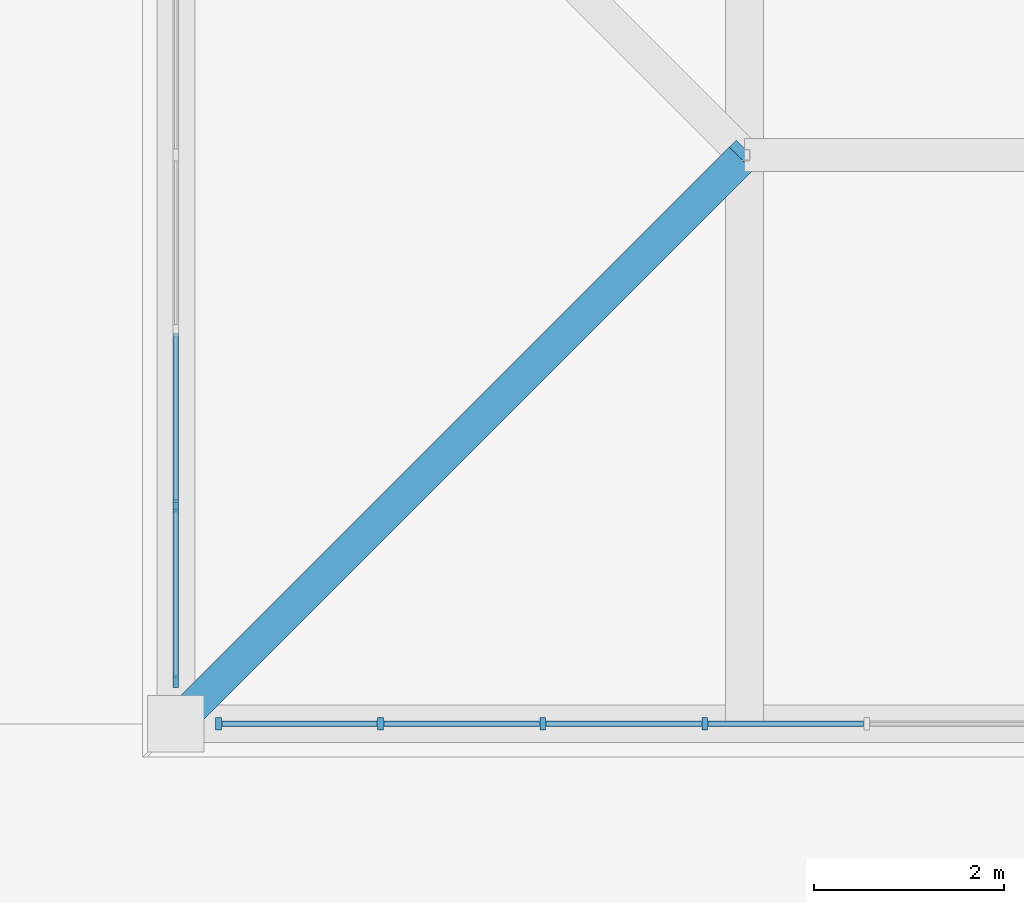
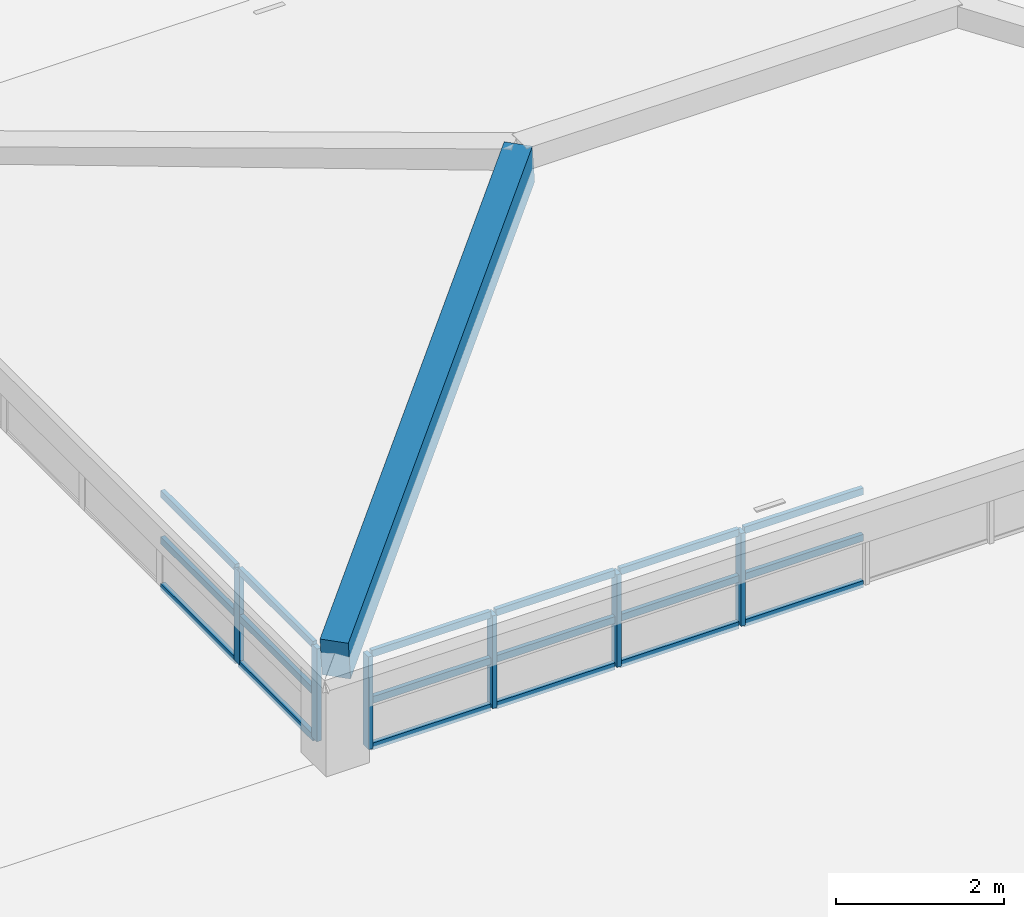
# One storey, part 33 of 56: 24 members, 1 beam, 2 elements without a shape of their own.
"""IFC4 building model written with IfcOpenShell, lengths in metres."""

from ifc_helpers import new_model, si_unit, direction, frame, origin, origin_2d, place, context, subcontext, project, spatial, rectangle, extrude, material, layer, layer_set, material_profile, profile_set, type_object, element, aggregate, save


model = new_model("IFC4")

# Units and contexts
model_context = context("Model", 3, precision=1e-05, world=origin(), true_north=direction((0.0, 1.0)))
body_context = subcontext(model_context, "Body", "Model", "MODEL_VIEW")
ifc_project = project(units=[si_unit("LENGTHUNIT", "METRE"), si_unit("AREAUNIT", "SQUARE_METRE"), si_unit("VOLUMEUNIT", "CUBIC_METRE"), si_unit("PLANEANGLEUNIT", "RADIAN"), si_unit("MASSUNIT", "GRAM", prefix="KILO")], contexts=[model_context])

# Site, building, storey
site_placement = place(None, origin())
site = spatial("IfcSite", under=ifc_project, at=site_placement, CompositionType="ELEMENT")
building_placement = place(site_placement, origin())
building = spatial("IfcBuilding", under=site, at=building_placement, Name="Zacnel Wholesale Market", CompositionType="ELEMENT")
storey_placement = place(building_placement, frame((0.0, 0.0, 20.300048828125)))
storey = spatial("IfcBuildingStorey", under=building, at=storey_placement, Name="RF", CompositionType="ELEMENT", Elevation=20.300048828125)

# Beam
ifc_material_1 = material(Name="Concrete C40/50", Category="concrete")
ifc_material_profile_1 = material_profile(ifc_material_1, rectangle(XDim=0.35009765625, YDim=0.60009765625, at=origin_2d()), Name="ARCH RIB 350x600")
ifc_profile_set_1 = profile_set([ifc_material_profile_1], Name="Concrete C40/50")
beam_type = type_object("IfcBeamType", Name="BM-AR600", PredefinedType="USERDEFINED", material=ifc_profile_set_1)
beam_placement = place(storey_placement, frame((153.0, 108.0, -2.469970703125), z_axis=(0.696310623823, 0.696310623823, 0.174077655956), x_axis=(-0.707106781187, 0.707106781187, 0.0)))
element("IfcBeam", 1, at=beam_placement, inside=storey, type_object=beam_type, Name="Hipped crown rib STR-ROOF-V1-XLANTERN-1", ObjectType="ARCH RIB", PredefinedType="USERDEFINED", context=body_context, shape_type="SweptSolid", body=[
    extrude(rectangle(XDim=0.35009765625, YDim=0.60009765625, at=origin_2d()), origin(), (0.0, 0.0, 1.0), 8.616943359375),
])

# Curtain wall, members
ifc_material_2 = material(Name="Anodised aluminium", Category="aluminium")
ifc_layer = layer(ifc_material_2, 0.14990234375)
ifc_layer_set = layer_set([ifc_layer], Name="Anodised aluminium")
curtain_wall_type = type_object("IfcCurtainWallType", Name="CW-CLER-3600", PredefinedType="NOTDEFINED", material=ifc_layer_set)
curtain_wall_1_placement = place(storey_placement, origin())
curtain_wall_1 = element("IfcCurtainWall", 2, at=curtain_wall_1_placement, inside=storey, type_object=curtain_wall_type, Name="Curtain wall ENV-CW-XLAN-S", PredefinedType="NOTDEFINED")
ifc_material_3 = material(Name="Anodised aluminium", Category="aluminium")
ifc_material_profile_2 = material_profile(ifc_material_3, rectangle(XDim=0.06005859375, YDim=0.1298828125, at=origin_2d()), Name="AW-MULLION 60x130")
ifc_profile_set_2 = profile_set([ifc_material_profile_2], Name="Anodised aluminium")
member_type_1 = type_object("IfcMemberType", Name="CWM-MUL-06", PredefinedType="MULLION", material=ifc_profile_set_2)
member_1_placement = place(storey_placement, frame((153.449951171875, 108.0, -3.900146484375), z_axis=(0.0, 0.0, 1.0), x_axis=(1.0, 0.0, 0.0)))
member_1 = element("IfcMember", 3, at=member_1_placement, type_object=member_type_1, Name="ENV-CW-XLAN-S mullion 01", PredefinedType="MULLION", context=body_context, shape_type="SweptSolid", body=[
    extrude(rectangle(XDim=0.06005859375, YDim=0.1298828125, at=origin_2d()), origin(), (0.0, 0.0, 1.0), 1.35009765625),
])
member_2_placement = place(storey_placement, frame((155.159912109375, 108.0, -3.900146484375), z_axis=(0.0, 0.0, 1.0), x_axis=(1.0, 0.0, 0.0)))
member_2 = element("IfcMember", 4, at=member_2_placement, type_object=member_type_1, Name="ENV-CW-XLAN-S mullion 02", PredefinedType="MULLION", context=body_context, shape_type="SweptSolid", body=[
    extrude(rectangle(XDim=0.06005859375, YDim=0.1298828125, at=origin_2d()), origin(), (0.0, 0.0, 1.0), 1.35009765625),
])
member_3_placement = place(storey_placement, frame((156.8701171875, 108.0, -3.900146484375), z_axis=(0.0, 0.0, 1.0), x_axis=(1.0, 0.0, 0.0)))
member_3 = element("IfcMember", 5, at=member_3_placement, type_object=member_type_1, Name="ENV-CW-XLAN-S mullion 03", PredefinedType="MULLION", context=body_context, shape_type="SweptSolid", body=[
    extrude(rectangle(XDim=0.06005859375, YDim=0.1298828125, at=origin_2d()), origin(), (0.0, 0.0, 1.0), 1.35009765625),
])
member_4_placement = place(storey_placement, frame((158.580078125, 108.0, -3.900146484375), z_axis=(0.0, 0.0, 1.0), x_axis=(1.0, 0.0, 0.0)))
member_4 = element("IfcMember", 6, at=member_4_placement, type_object=member_type_1, Name="ENV-CW-XLAN-S mullion 04", PredefinedType="MULLION", context=body_context, shape_type="SweptSolid", body=[
    extrude(rectangle(XDim=0.06005859375, YDim=0.1298828125, at=origin_2d()), origin(), (0.0, 0.0, 1.0), 1.35009765625),
])

curtain_wall_2_placement = place(storey_placement, origin())
curtain_wall_2 = element("IfcCurtainWall", 7, at=curtain_wall_2_placement, inside=storey, type_object=curtain_wall_type, Name="Curtain wall ENV-CW-XLAN-W", PredefinedType="NOTDEFINED")
member_5_placement = place(storey_placement, frame((153.0, 108.449951171875, -3.900146484375), z_axis=(0.0, 0.0, 1.0), x_axis=(1.0, 0.0, 0.0)))
member_5 = element("IfcMember", 8, at=member_5_placement, type_object=member_type_1, Name="ENV-CW-XLAN-W mullion 01", PredefinedType="MULLION", context=body_context, shape_type="SweptSolid", body=[
    extrude(rectangle(XDim=0.06005859375, YDim=0.1298828125, at=origin_2d()), origin(), (0.0, 0.0, 1.0), 1.35009765625),
])
member_6_placement = place(storey_placement, frame((153.0, 110.300048828125, -3.900146484375), z_axis=(0.0, 0.0, 1.0), x_axis=(1.0, 0.0, 0.0)))
member_6 = element("IfcMember", 9, at=member_6_placement, type_object=member_type_1, Name="ENV-CW-XLAN-W mullion 02", PredefinedType="MULLION", context=body_context, shape_type="SweptSolid", body=[
    extrude(rectangle(XDim=0.06005859375, YDim=0.1298828125, at=origin_2d()), origin(), (0.0, 0.0, 1.0), 1.35009765625),
])

# Member
ifc_material_4 = material(Name="Anodised aluminium", Category="aluminium")
ifc_material_profile_3 = material_profile(ifc_material_4, rectangle(XDim=0.06005859375, YDim=0.10009765625, at=origin_2d()), Name="AW-TRANSOM 60x100")
ifc_profile_set_3 = profile_set([ifc_material_profile_3], Name="Anodised aluminium")
member_type_2 = type_object("IfcMemberType", Name="CWM-TRN-06", PredefinedType="USERDEFINED", material=ifc_profile_set_3)
member_7_placement = place(storey_placement, frame((153.485107421875, 108.0, -3.900146484375), z_axis=(1.0, 0.0, 0.0), x_axis=(0.0, 1.0, 0.0)))
member_7 = element("IfcMember", 10, at=member_7_placement, type_object=member_type_2, Name="ENV-CW-XLAN-S transom 1-1", ObjectType="TRANSOM", PredefinedType="USERDEFINED", context=body_context, shape_type="SweptSolid", body=[
    extrude(rectangle(XDim=0.06005859375, YDim=0.10009765625, at=origin_2d()), origin(), (0.0, 0.0, 1.0), 1.639892578125),
])

member_8_placement = place(storey_placement, frame((153.485107421875, 108.0, -3.22509765625), z_axis=(1.0, 0.0, 0.0), x_axis=(0.0, 1.0, 0.0)))
member_8 = element("IfcMember", 11, at=member_8_placement, type_object=member_type_2, Name="ENV-CW-XLAN-S transom 1-2", ObjectType="TRANSOM", PredefinedType="USERDEFINED", context=body_context, shape_type="SweptSolid", body=[
    extrude(rectangle(XDim=0.06005859375, YDim=0.10009765625, at=origin_2d()), origin(), (0.0, 0.0, 1.0), 1.639892578125),
])

member_9_placement = place(storey_placement, frame((153.485107421875, 108.0, -2.550048828125), z_axis=(1.0, 0.0, 0.0), x_axis=(0.0, 1.0, 0.0)))
member_9 = element("IfcMember", 12, at=member_9_placement, type_object=member_type_2, Name="ENV-CW-XLAN-S transom 1-3", ObjectType="TRANSOM", PredefinedType="USERDEFINED", context=body_context, shape_type="SweptSolid", body=[
    extrude(rectangle(XDim=0.06005859375, YDim=0.10009765625, at=origin_2d()), origin(), (0.0, 0.0, 1.0), 1.639892578125),
])

member_10_placement = place(storey_placement, frame((155.195068359375, 108.0, -3.900146484375), z_axis=(1.0, 0.0, 0.0), x_axis=(0.0, 1.0, 0.0)))
member_10 = element("IfcMember", 13, at=member_10_placement, type_object=member_type_2, Name="ENV-CW-XLAN-S transom 2-1", ObjectType="TRANSOM", PredefinedType="USERDEFINED", context=body_context, shape_type="SweptSolid", body=[
    extrude(rectangle(XDim=0.06005859375, YDim=0.10009765625, at=origin_2d()), origin(), (0.0, 0.0, 1.0), 1.639892578125),
])

member_11_placement = place(storey_placement, frame((155.195068359375, 108.0, -3.22509765625), z_axis=(1.0, 0.0, 0.0), x_axis=(0.0, 1.0, 0.0)))
member_11 = element("IfcMember", 14, at=member_11_placement, type_object=member_type_2, Name="ENV-CW-XLAN-S transom 2-2", ObjectType="TRANSOM", PredefinedType="USERDEFINED", context=body_context, shape_type="SweptSolid", body=[
    extrude(rectangle(XDim=0.06005859375, YDim=0.10009765625, at=origin_2d()), origin(), (0.0, 0.0, 1.0), 1.639892578125),
])

member_12_placement = place(storey_placement, frame((155.195068359375, 108.0, -2.550048828125), z_axis=(1.0, 0.0, 0.0), x_axis=(0.0, 1.0, 0.0)))
member_12 = element("IfcMember", 15, at=member_12_placement, type_object=member_type_2, Name="ENV-CW-XLAN-S transom 2-3", ObjectType="TRANSOM", PredefinedType="USERDEFINED", context=body_context, shape_type="SweptSolid", body=[
    extrude(rectangle(XDim=0.06005859375, YDim=0.10009765625, at=origin_2d()), origin(), (0.0, 0.0, 1.0), 1.639892578125),
])

member_13_placement = place(storey_placement, frame((156.905029296875, 108.0, -3.900146484375), z_axis=(1.0, 0.0, 0.0), x_axis=(0.0, 1.0, 0.0)))
member_13 = element("IfcMember", 16, at=member_13_placement, type_object=member_type_2, Name="ENV-CW-XLAN-S transom 3-1", ObjectType="TRANSOM", PredefinedType="USERDEFINED", context=body_context, shape_type="SweptSolid", body=[
    extrude(rectangle(XDim=0.06005859375, YDim=0.10009765625, at=origin_2d()), origin(), (0.0, 0.0, 1.0), 1.639892578125),
])

member_14_placement = place(storey_placement, frame((156.905029296875, 108.0, -3.22509765625), z_axis=(1.0, 0.0, 0.0), x_axis=(0.0, 1.0, 0.0)))
member_14 = element("IfcMember", 17, at=member_14_placement, type_object=member_type_2, Name="ENV-CW-XLAN-S transom 3-2", ObjectType="TRANSOM", PredefinedType="USERDEFINED", context=body_context, shape_type="SweptSolid", body=[
    extrude(rectangle(XDim=0.06005859375, YDim=0.10009765625, at=origin_2d()), origin(), (0.0, 0.0, 1.0), 1.639892578125),
])

member_15_placement = place(storey_placement, frame((156.905029296875, 108.0, -2.550048828125), z_axis=(1.0, 0.0, 0.0), x_axis=(0.0, 1.0, 0.0)))
member_15 = element("IfcMember", 18, at=member_15_placement, type_object=member_type_2, Name="ENV-CW-XLAN-S transom 3-3", ObjectType="TRANSOM", PredefinedType="USERDEFINED", context=body_context, shape_type="SweptSolid", body=[
    extrude(rectangle(XDim=0.06005859375, YDim=0.10009765625, at=origin_2d()), origin(), (0.0, 0.0, 1.0), 1.639892578125),
])

member_16_placement = place(storey_placement, frame((158.614990234375, 108.0, -3.900146484375), z_axis=(1.0, 0.0, 0.0), x_axis=(0.0, 1.0, 0.0)))
member_16 = element("IfcMember", 19, at=member_16_placement, type_object=member_type_2, Name="ENV-CW-XLAN-S transom 4-1", ObjectType="TRANSOM", PredefinedType="USERDEFINED", context=body_context, shape_type="SweptSolid", body=[
    extrude(rectangle(XDim=0.06005859375, YDim=0.10009765625, at=origin_2d()), origin(), (0.0, 0.0, 1.0), 1.639892578125),
])

member_17_placement = place(storey_placement, frame((158.614990234375, 108.0, -3.22509765625), z_axis=(1.0, 0.0, 0.0), x_axis=(0.0, 1.0, 0.0)))
member_17 = element("IfcMember", 20, at=member_17_placement, type_object=member_type_2, Name="ENV-CW-XLAN-S transom 4-2", ObjectType="TRANSOM", PredefinedType="USERDEFINED", context=body_context, shape_type="SweptSolid", body=[
    extrude(rectangle(XDim=0.06005859375, YDim=0.10009765625, at=origin_2d()), origin(), (0.0, 0.0, 1.0), 1.639892578125),
])

member_18_placement = place(storey_placement, frame((158.614990234375, 108.0, -2.550048828125), z_axis=(1.0, 0.0, 0.0), x_axis=(0.0, 1.0, 0.0)))
member_18 = element("IfcMember", 21, at=member_18_placement, type_object=member_type_2, Name="ENV-CW-XLAN-S transom 4-3", ObjectType="TRANSOM", PredefinedType="USERDEFINED", context=body_context, shape_type="SweptSolid", body=[
    extrude(rectangle(XDim=0.06005859375, YDim=0.10009765625, at=origin_2d()), origin(), (0.0, 0.0, 1.0), 1.639892578125),
])

aggregate(curtain_wall_1, [member_1, member_2, member_3, member_4, member_7, member_8, member_9, member_10, member_11, member_12, member_13, member_14, member_15, member_16, member_17, member_18])

member_19_placement = place(storey_placement, frame((153.0, 108.485107421875, -3.900146484375), z_axis=(0.0, 1.0, 0.0), x_axis=(-1.0, 0.0, 0.0)))
member_19 = element("IfcMember", 22, at=member_19_placement, type_object=member_type_2, Name="ENV-CW-XLAN-W transom 1-1", ObjectType="TRANSOM", PredefinedType="USERDEFINED", context=body_context, shape_type="SweptSolid", body=[
    extrude(rectangle(XDim=0.06005859375, YDim=0.10009765625, at=origin_2d()), origin(), (0.0, 0.0, 1.0), 1.77978515625),
])

member_20_placement = place(storey_placement, frame((153.0, 108.485107421875, -3.22509765625), z_axis=(0.0, 1.0, 0.0), x_axis=(-1.0, 0.0, 0.0)))
member_20 = element("IfcMember", 23, at=member_20_placement, type_object=member_type_2, Name="ENV-CW-XLAN-W transom 1-2", ObjectType="TRANSOM", PredefinedType="USERDEFINED", context=body_context, shape_type="SweptSolid", body=[
    extrude(rectangle(XDim=0.06005859375, YDim=0.10009765625, at=origin_2d()), origin(), (0.0, 0.0, 1.0), 1.77978515625),
])

member_21_placement = place(storey_placement, frame((153.0, 108.485107421875, -2.550048828125), z_axis=(0.0, 1.0, 0.0), x_axis=(-1.0, 0.0, 0.0)))
member_21 = element("IfcMember", 24, at=member_21_placement, type_object=member_type_2, Name="ENV-CW-XLAN-W transom 1-3", ObjectType="TRANSOM", PredefinedType="USERDEFINED", context=body_context, shape_type="SweptSolid", body=[
    extrude(rectangle(XDim=0.06005859375, YDim=0.10009765625, at=origin_2d()), origin(), (0.0, 0.0, 1.0), 1.77978515625),
])

member_22_placement = place(storey_placement, frame((153.0, 110.3349609375, -3.900146484375), z_axis=(0.0, 1.0, 0.0), x_axis=(-1.0, 0.0, 0.0)))
member_22 = element("IfcMember", 25, at=member_22_placement, type_object=member_type_2, Name="ENV-CW-XLAN-W transom 2-1", ObjectType="TRANSOM", PredefinedType="USERDEFINED", context=body_context, shape_type="SweptSolid", body=[
    extrude(rectangle(XDim=0.06005859375, YDim=0.10009765625, at=origin_2d()), origin(), (0.0, 0.0, 1.0), 1.780029296875),
])

member_23_placement = place(storey_placement, frame((153.0, 110.3349609375, -3.22509765625), z_axis=(0.0, 1.0, 0.0), x_axis=(-1.0, 0.0, 0.0)))
member_23 = element("IfcMember", 26, at=member_23_placement, type_object=member_type_2, Name="ENV-CW-XLAN-W transom 2-2", ObjectType="TRANSOM", PredefinedType="USERDEFINED", context=body_context, shape_type="SweptSolid", body=[
    extrude(rectangle(XDim=0.06005859375, YDim=0.10009765625, at=origin_2d()), origin(), (0.0, 0.0, 1.0), 1.780029296875),
])

member_24_placement = place(storey_placement, frame((153.0, 110.3349609375, -2.550048828125), z_axis=(0.0, 1.0, 0.0), x_axis=(-1.0, 0.0, 0.0)))
member_24 = element("IfcMember", 27, at=member_24_placement, type_object=member_type_2, Name="ENV-CW-XLAN-W transom 2-3", ObjectType="TRANSOM", PredefinedType="USERDEFINED", context=body_context, shape_type="SweptSolid", body=[
    extrude(rectangle(XDim=0.06005859375, YDim=0.10009765625, at=origin_2d()), origin(), (0.0, 0.0, 1.0), 1.780029296875),
])

aggregate(curtain_wall_2, [member_5, member_6, member_19, member_20, member_21, member_22, member_23, member_24])

save(model, "model.ifc")
